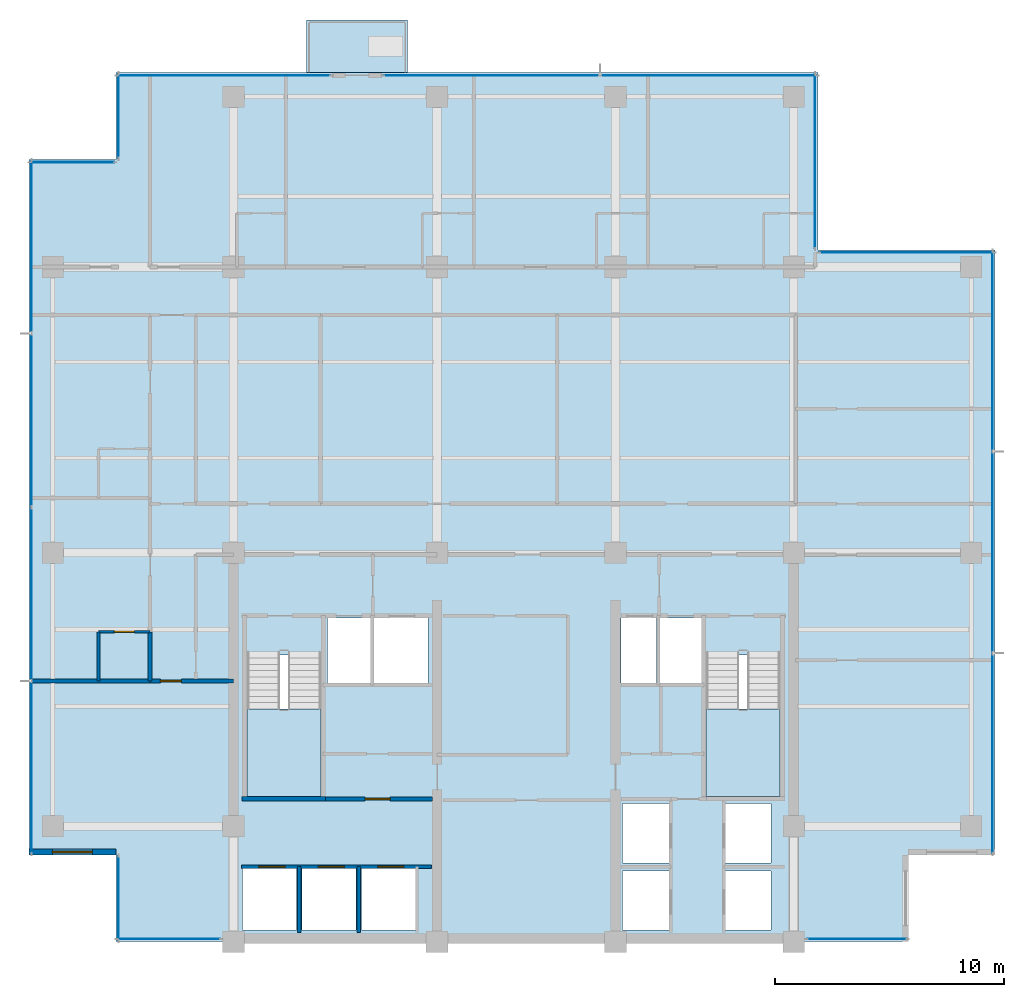
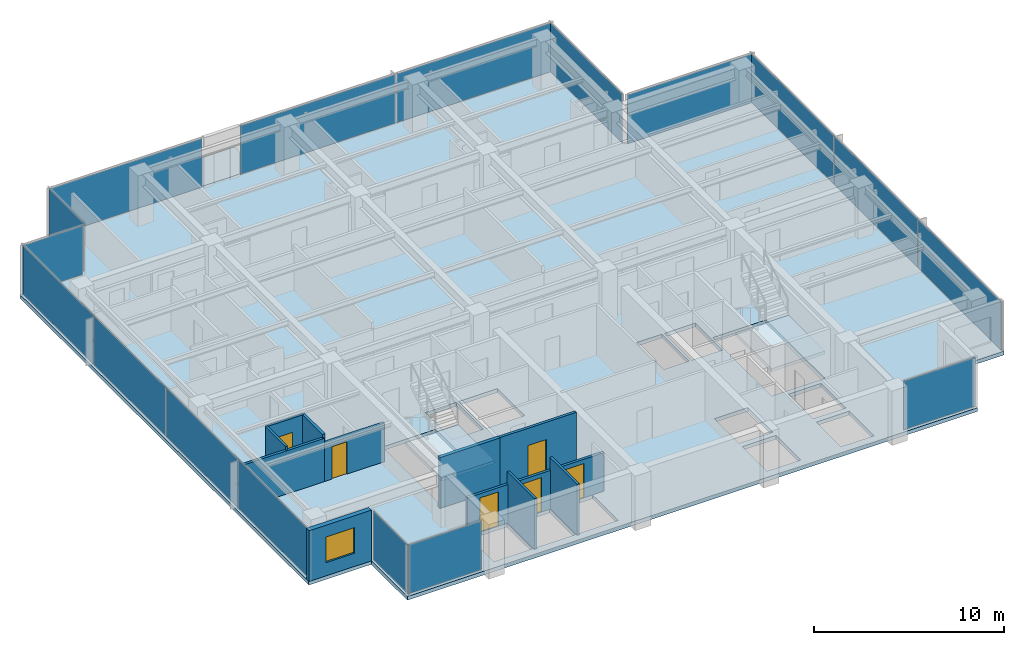
# One storey, part 6 of 14: 17 plates, 11 walls, 6 doors, 4 slabs, 1 window, 7 openings, 13 elements without a shape of their own.
"""IFC4 building model written with IfcOpenShell, lengths in metres."""

import ifcopenshell
import ifcopenshell.guid

model = None  # the IFC model being written
_history = None  # IfcOwnerHistory: only IFC2X3 demands one
_inside = {}  # id of a spatial element -> (the spatial element, [elements in it])
_under = {}  # id of a project, library or spatial element -> (it, [spatial elements below it])
_declared = {}  # id of a project -> (the project, [libraries it declares])
_typed = {}  # id of a type object -> (the type object, [elements of that type])
_made_of = {}  # id of a material, layer set ... -> (it, [elements and type objects made of it])


def new_model(schema):
    """Start an empty IFC model of exactly this schema.

    Asked for "IFC4X3", IfcOpenShell would pick the latest addendum, in which some entities
    have other attributes; the version numbers below select the first issue.
    IFC2X3 requires an IfcOwnerHistory on every rooted entity: one is made here for all.
    """
    global model, _history
    if schema == "IFC4X3":
        model = ifcopenshell.file(schema_version=(4, 3, 0, 0))
    else:
        model = ifcopenshell.file(schema=schema)
    _inside.clear()
    _under.clear()
    _declared.clear()
    _typed.clear()
    _made_of.clear()
    _history = None
    if model.schema == "IFC2X3":
        org = make("IfcOrganization", Name="unknown")
        user = make(
            "IfcPersonAndOrganization",
            ThePerson=make("IfcPerson", FamilyName="unknown"),
            TheOrganization=org,
        )
        app = make(
            "IfcApplication",
            ApplicationDeveloper=org,
            Version="unknown",
            ApplicationFullName="unknown",
            ApplicationIdentifier="unknown",
        )
        _history = make(
            "IfcOwnerHistory",
            OwningUser=user,
            OwningApplication=app,
            ChangeAction="ADDED",
            CreationDate=0,
        )
    return model


def make(cls, **values):
    """One entity of the class cls with the attributes given. An attribute that is None is left unset."""
    return model.create_entity(
        cls, **{name: value for name, value in values.items() if value is not None}
    )


def rooted(cls, **values):
    """An entity with a GlobalId (a new one), such as an element, a storey or a relation."""
    return make(cls, GlobalId=ifcopenshell.guid.new(), OwnerHistory=_history, **values)


def si_unit(unit_type, name, prefix=None):
    """IfcSIUnit, for example si_unit("LENGTHUNIT", "METRE", prefix="MILLI")."""
    return make("IfcSIUnit", UnitType=unit_type, Prefix=prefix, Name=name)


def assignment(units):
    """IfcUnitAssignment: the units of a project."""
    return None if units is None else make("IfcUnitAssignment", Units=units)


def point(xyz):
    """IfcCartesianPoint."""
    return None if xyz is None else make("IfcCartesianPoint", Coordinates=xyz)


def direction(xyz):
    """IfcDirection."""
    return None if xyz is None else make("IfcDirection", DirectionRatios=xyz)


def frame(location, z_axis=None, x_axis=None):
    """IfcAxis2Placement3D, a coordinate frame: its origin and axes. An axis left out is left unset."""
    return make(
        "IfcAxis2Placement3D",
        Location=point(location),
        Axis=direction(z_axis),
        RefDirection=direction(x_axis),
    )


def frame_2d(location, x_axis=None):
    """IfcAxis2Placement2D, a coordinate frame in the plane: its origin and x axis."""
    return make(
        "IfcAxis2Placement2D", Location=point(location), RefDirection=direction(x_axis)
    )


def origin():
    """The frame at (0, 0, 0) with its axes left unset."""
    return frame((0.0, 0.0, 0.0))


def origin_2d():
    """The frame at (0, 0) in the plane with its x axis left unset."""
    return frame_2d((0.0, 0.0))


def place(relative_to, where):
    """IfcLocalPlacement: puts the frame where relative to a parent placement (None: the world)."""
    return make(
        "IfcLocalPlacement", PlacementRelTo=relative_to, RelativePlacement=where
    )


def context(
    kind, dimensions, precision=None, world=None, true_north=None, identifier=None
):
    """IfcGeometricRepresentationContext, for example the 3D "Model" context."""
    return make(
        "IfcGeometricRepresentationContext",
        ContextIdentifier=identifier,
        ContextType=kind,
        CoordinateSpaceDimension=dimensions,
        Precision=precision,
        WorldCoordinateSystem=world,
        TrueNorth=true_north,
    )


def subcontext(parent, identifier, kind, view, scale=None):
    """IfcGeometricRepresentationSubContext, for example "Body" below "Model"."""
    return make(
        "IfcGeometricRepresentationSubContext",
        ContextIdentifier=identifier,
        ContextType=kind,
        ParentContext=parent,
        TargetScale=scale,
        TargetView=view,
    )


def project(units=None, contexts=None):
    """IfcProject with its units and contexts."""
    return rooted(
        "IfcProject",
        Name="project",
        RepresentationContexts=contexts,
        UnitsInContext=assignment(units),
    )


def spatial(cls, under=None, at=None, **own):
    """A site, building, storey or space (cls), placed at a placement, below another one or the project."""
    s = rooted(cls, ObjectPlacement=at, **own)
    if under is not None:
        _under.setdefault(under.id(), (under, []))[1].append(s)
    return s


def polyline(points):
    """IfcPolyline through the points."""
    return make("IfcPolyline", Points=[point(p) for p in points])


def profile(cls, at=None, kind="AREA", **sizes):
    """A parametric profile (cls). Its sizes go by their IFC names, for example OverallWidth=200.0."""
    return make(cls, ProfileType=kind, Position=at, **sizes)


def rectangle(**sizes):
    """IfcRectangleProfileDef."""
    return profile("IfcRectangleProfileDef", **sizes)


def outline(outer, holes=None, kind="AREA"):
    """IfcArbitraryClosedProfileDef: a profile drawn as a closed curve; with holes, ...WithVoids."""
    if holes is None:
        return make("IfcArbitraryClosedProfileDef", ProfileType=kind, OuterCurve=outer)
    return make(
        "IfcArbitraryProfileDefWithVoids",
        ProfileType=kind,
        OuterCurve=outer,
        InnerCurves=holes,
    )


def extrude(swept, where, along, depth):
    """IfcExtrudedAreaSolid: the profile swept, set in the frame where, extruded along a direction by depth."""
    return make(
        "IfcExtrudedAreaSolid",
        SweptArea=swept,
        Position=where,
        ExtrudedDirection=direction(along),
        Depth=depth,
    )


def shape(context_of_items, identifier, shape_type, items):
    """IfcShapeRepresentation: the items that make up one representation, for example the "Body"."""
    return make(
        "IfcShapeRepresentation",
        ContextOfItems=context_of_items,
        RepresentationIdentifier=identifier,
        RepresentationType=shape_type,
        Items=items,
    )


def material(Name=None, Category=None):
    """IfcMaterial."""
    return make("IfcMaterial", Name=Name, Category=Category)


def layer(
    of_material, thickness, ventilated=None, Name=None, Category=None, Priority=None
):
    """IfcMaterialLayer: one layer of a wall or slab, of a material (None: an air gap)."""
    return make(
        "IfcMaterialLayer",
        Material=of_material,
        LayerThickness=thickness,
        IsVentilated=ventilated,
        Name=Name,
        Category=Category,
        Priority=Priority,
    )


def layer_set(layers, Name=None):
    """IfcMaterialLayerSet."""
    return make("IfcMaterialLayerSet", MaterialLayers=layers, LayerSetName=Name)


def made_of(thing, what):
    """Note that an element or type object is made of a material, layer set ...; save() writes the relation."""
    if what is not None:
        _made_of.setdefault(what.id(), (what, []))[1].append(thing)
    return thing


def type_object(cls, material=None, **own):
    """A type object (cls), such as IfcWallType, which elements share."""
    return made_of(rooted(cls, **own), material)


def element(
    cls,
    number,
    at=None,
    inside=None,
    cuts=None,
    type_object=None,
    material=None,
    context=None,
    identifier="Body",
    shape_type=None,
    held_by="IfcProductDefinitionShape",
    body=None,
    shapes=None,
    **own,
):
    """One element of the class cls, such as IfcWall. Its Tag is "e" and its number.

    at: its placement. inside: the storey or other place that contains it. cuts: it is an
    opening in that element (IfcRelVoidsElement). A single representation is given by context,
    identifier, shape_type and body (its items); several are given by shapes. held_by: the class
    of the entity that holds the representations. save() writes the other relations.
    """
    e = rooted(cls, Tag="e%d" % number, ObjectPlacement=at, **own)
    if body is not None:
        shapes = [shape(context, identifier, shape_type, body)]
    if shapes is not None:
        e.Representation = make(held_by, Representations=shapes)
    if inside is not None:
        _inside.setdefault(inside.id(), (inside, []))[1].append(e)
    if cuts is not None:
        rooted(
            "IfcRelVoidsElement", RelatingBuildingElement=cuts, RelatedOpeningElement=e
        )
    if type_object is not None:
        _typed.setdefault(type_object.id(), (type_object, []))[1].append(e)
    return made_of(e, material)


def fill(opening, filler):
    """IfcRelFillsElement: the door or window that sits in an opening."""
    return rooted(
        "IfcRelFillsElement",
        RelatingOpeningElement=opening,
        RelatedBuildingElement=filler,
    )


def aggregate(whole, parts):
    """IfcRelAggregates: a whole, such as a stair, and the parts it consists of."""
    return rooted("IfcRelAggregates", RelatingObject=whole, RelatedObjects=parts)


def save(model, path):
    """Write the relations noted so far, then the file.

    IfcRelAggregates (storeys below a building ...), IfcRelContainedInSpatialStructure (elements
    in a storey), IfcRelDefinesByType, IfcRelAssociatesMaterial and IfcRelDeclares: one each for
    every whole, place, type object, material and project.
    """
    for whole, parts in _under.values():
        aggregate(whole, parts)
    for where, things in _inside.values():
        rooted(
            "IfcRelContainedInSpatialStructure",
            RelatedElements=things,
            RelatingStructure=where,
        )
    for kind, things in _typed.values():
        rooted("IfcRelDefinesByType", RelatedObjects=things, RelatingType=kind)
    for what, things in _made_of.values():
        rooted("IfcRelAssociatesMaterial", RelatedObjects=things, RelatingMaterial=what)
    for by, libraries in _declared.values():
        rooted("IfcRelDeclares", RelatingContext=by, RelatedDefinitions=libraries)
    model.write(path)


model = new_model("IFC4")

# Units and contexts
model_context = context("Model", 3, precision=1e-05, world=origin(), true_north=direction((0.0, 1.0)))
body_context = subcontext(model_context, "Body", "Model", "MODEL_VIEW")
ifc_project = project(units=[si_unit("LENGTHUNIT", "METRE"), si_unit("AREAUNIT", "SQUARE_METRE"), si_unit("VOLUMEUNIT", "CUBIC_METRE"), si_unit("PLANEANGLEUNIT", "RADIAN"), si_unit("MASSUNIT", "GRAM", prefix="KILO")], contexts=[model_context])

# Site, building, storey
site_placement = place(None, origin())
site = spatial("IfcSite", under=ifc_project, at=site_placement, CompositionType="ELEMENT")
building_placement = place(site_placement, origin())
building = spatial("IfcBuilding", under=site, at=building_placement, Name="Qalmaran Belvedere Hotel", CompositionType="ELEMENT")
storey_placement = place(building_placement, frame((0.0, 0.0, 207.39990234375)))
storey = spatial("IfcBuildingStorey", under=building, at=storey_placement, Name="L52", CompositionType="ELEMENT", Elevation=207.39990234375)

# Curtain wall, plate
ifc_material_1 = material(Name="Anodised Bronze Aluminium", Category="aluminium")
ifc_layer_1 = layer(ifc_material_1, 0.18994140625, Name="Anodised Bronze Aluminium")
ifc_layer_set_1 = layer_set([ifc_layer_1], Name="Anodised Bronze Aluminium")
curtain_wall_type = type_object("IfcCurtainWallType", Name="CW5-TOWER-UPPER", PredefinedType="NOTDEFINED", material=ifc_layer_set_1)
curtain_wall_1_placement = place(storey_placement, origin())
curtain_wall_1 = element("IfcCurtainWall", 1, at=curtain_wall_1_placement, inside=storey, type_object=curtain_wall_type, Name="L52 Curtain Wall CW5", PredefinedType="NOTDEFINED")
ifc_material_2 = material(Name="Solar-Control Double Glazing", Category="glass")
ifc_layer_2 = layer(ifc_material_2, 0.028076171875, Name="Solar-Control Double Glazing")
ifc_layer_set_2 = layer_set([ifc_layer_2], Name="Solar-Control Double Glazing")
plate_type = type_object("IfcPlateType", Name="CWP-VISION-28", PredefinedType="CURTAIN_PANEL", material=ifc_layer_set_2)
plate_1_placement = place(storey_placement, frame((17.467529296875, 3.6201171875, 0.065185546875), z_axis=(0.0, 0.0, 1.0), x_axis=(1.0, 0.0, 0.0)))
plate_1 = element("IfcPlate", 2, at=plate_1_placement, type_object=plate_type, Name="CW5 panel 1.1", PredefinedType="CURTAIN_PANEL", context=body_context, shape_type="SweptSolid", body=[
    extrude(rectangle(XDim=4.5048828125, YDim=0.028076171875, at=origin_2d()), origin(), (0.0, 0.0, 1.0), 3.1298828125),
])
aggregate(curtain_wall_1, [plate_1])

curtain_wall_2_placement = place(storey_placement, origin())
curtain_wall_2 = element("IfcCurtainWall", 3, at=curtain_wall_2_placement, inside=storey, type_object=curtain_wall_type, Name="L52 Curtain Wall CW5", PredefinedType="NOTDEFINED")
plate_2_placement = place(storey_placement, frame((47.5576171875, 3.6201171875, 0.065185546875), z_axis=(0.0, 0.0, 1.0), x_axis=(1.0, 0.0, 0.0)))
plate_2 = element("IfcPlate", 4, at=plate_2_placement, type_object=plate_type, Name="CW5 panel 1.1", PredefinedType="CURTAIN_PANEL", context=body_context, shape_type="SweptSolid", body=[
    extrude(rectangle(XDim=4.35498046875, YDim=0.028076171875, at=origin_2d()), origin(), (0.0, 0.0, 1.0), 3.1298828125),
])
aggregate(curtain_wall_2, [plate_2])

# Curtain wall, plates
curtain_wall_3_placement = place(storey_placement, origin())
curtain_wall_3 = element("IfcCurtainWall", 5, at=curtain_wall_3_placement, inside=storey, type_object=curtain_wall_type, Name="L52 Curtain Wall CW5", PredefinedType="NOTDEFINED")
plate_3_placement = place(storey_placement, frame((53.47998046875, 11.724609375, 0.065185546875), z_axis=(0.0, 0.0, 1.0), x_axis=(0.0, 1.0, 0.0)))
plate_3 = element("IfcPlate", 6, at=plate_3_placement, type_object=plate_type, Name="CW5 panel 1.1", PredefinedType="CURTAIN_PANEL", context=body_context, shape_type="SweptSolid", body=[
    extrude(rectangle(XDim=8.71923828125, YDim=0.028076171875, at=origin_2d()), origin(), (0.0, 0.0, 1.0), 3.1298828125),
])
plate_4_placement = place(storey_placement, frame((53.47998046875, 20.52490234375, 0.065185546875), z_axis=(0.0, 0.0, 1.0), x_axis=(0.0, 1.0, 0.0)))
plate_4 = element("IfcPlate", 7, at=plate_4_placement, type_object=plate_type, Name="CW5 panel 2.1", PredefinedType="CURTAIN_PANEL", context=body_context, shape_type="SweptSolid", body=[
    extrude(rectangle(XDim=8.751708984375, YDim=0.028076171875, at=origin_2d()), origin(), (0.0, 0.0, 1.0), 3.1298828125),
])
plate_5_placement = place(storey_placement, frame((53.47998046875, 29.325439453125, 0.065185546875), z_axis=(0.0, 0.0, 1.0), x_axis=(0.0, 1.0, 0.0)))
plate_5 = element("IfcPlate", 8, at=plate_5_placement, type_object=plate_type, Name="CW5 panel 3.1", PredefinedType="CURTAIN_PANEL", context=body_context, shape_type="SweptSolid", body=[
    extrude(rectangle(XDim=8.71923828125, YDim=0.028076171875, at=origin_2d()), origin(), (0.0, 0.0, 1.0), 3.1298828125),
])
aggregate(curtain_wall_3, [plate_3, plate_4, plate_5])

# Curtain wall, plate
curtain_wall_4_placement = place(storey_placement, origin())
curtain_wall_4 = element("IfcCurtainWall", 9, at=curtain_wall_4_placement, inside=storey, type_object=curtain_wall_type, Name="L52 Curtain Wall CW5", PredefinedType="NOTDEFINED")
plate_6_placement = place(storey_placement, frame((49.72509765625, 33.6298828125, 0.065185546875), z_axis=(0.0, 0.0, 1.0), x_axis=(-1.0, 0.0, 0.0)))
plate_6 = element("IfcPlate", 10, at=plate_6_placement, type_object=plate_type, Name="CW5 panel 1.1", PredefinedType="CURTAIN_PANEL", context=body_context, shape_type="SweptSolid", body=[
    extrude(rectangle(XDim=7.6201171875, YDim=0.028076171875, at=origin_2d()), origin(), (0.0, 0.0, 1.0), 3.1298828125),
])
aggregate(curtain_wall_4, [plate_6])

curtain_wall_5_placement = place(storey_placement, origin())
curtain_wall_5 = element("IfcCurtainWall", 11, at=curtain_wall_5_placement, inside=storey, type_object=curtain_wall_type, Name="L52 Curtain Wall CW5", PredefinedType="NOTDEFINED")
plate_7_placement = place(storey_placement, frame((45.72998046875, 37.625, 0.065185546875), z_axis=(0.0, 0.0, 1.0), x_axis=(0.0, 1.0, 0.0)))
plate_7 = element("IfcPlate", 12, at=plate_7_placement, type_object=plate_type, Name="CW5 panel 1.1", PredefinedType="CURTAIN_PANEL", context=body_context, shape_type="SweptSolid", body=[
    extrude(rectangle(XDim=7.6201171875, YDim=0.028076171875, at=origin_2d()), origin(), (0.0, 0.0, 1.0), 3.1298828125),
])
aggregate(curtain_wall_5, [plate_7])

curtain_wall_6_placement = place(storey_placement, origin())
curtain_wall_6 = element("IfcCurtainWall", 13, at=curtain_wall_6_placement, inside=storey, type_object=curtain_wall_type, Name="L52 Curtain Wall CW5", PredefinedType="NOTDEFINED")
plate_8_placement = place(storey_placement, frame((19.875, 41.3798828125, 0.065185546875), z_axis=(0.0, 0.0, 1.0), x_axis=(-1.0, 0.0, 0.0)))
plate_8 = element("IfcPlate", 14, at=plate_8_placement, type_object=plate_type, Name="CW5 panel 1.1", PredefinedType="CURTAIN_PANEL", context=body_context, shape_type="SweptSolid", body=[
    extrude(rectangle(XDim=9.320068359375, YDim=0.028076171875, at=origin_2d()), origin(), (0.0, 0.0, 1.0), 3.1298828125),
])
aggregate(curtain_wall_6, [plate_8])

# Curtain wall, plates
curtain_wall_7_placement = place(storey_placement, origin())
curtain_wall_7 = element("IfcCurtainWall", 15, at=curtain_wall_7_placement, inside=storey, type_object=curtain_wall_type, Name="L52 Curtain Wall CW5", PredefinedType="NOTDEFINED")
plate_9_placement = place(storey_placement, frame((41.0712890625, 41.3798828125, 0.065185546875), z_axis=(0.0, 0.0, 1.0), x_axis=(-1.0, 0.0, 0.0)))
plate_9 = element("IfcPlate", 16, at=plate_9_placement, type_object=plate_type, Name="CW5 panel 1.1", PredefinedType="CURTAIN_PANEL", context=body_context, shape_type="SweptSolid", body=[
    extrude(rectangle(XDim=9.427490234375, YDim=0.028076171875, at=origin_2d()), origin(), (0.0, 0.0, 1.0), 3.1298828125),
])
plate_10_placement = place(storey_placement, frame((31.578857421875, 41.3798828125, 0.065185546875), z_axis=(0.0, 0.0, 1.0), x_axis=(-1.0, 0.0, 0.0)))
plate_10 = element("IfcPlate", 17, at=plate_10_placement, type_object=plate_type, Name="CW5 panel 2.1", PredefinedType="CURTAIN_PANEL", context=body_context, shape_type="SweptSolid", body=[
    extrude(rectangle(XDim=9.427490234375, YDim=0.028076171875, at=origin_2d()), origin(), (0.0, 0.0, 1.0), 3.1298828125),
])
aggregate(curtain_wall_7, [plate_9, plate_10])

# Curtain wall, plate
curtain_wall_8_placement = place(storey_placement, origin())
curtain_wall_8 = element("IfcCurtainWall", 18, at=curtain_wall_8_placement, inside=storey, type_object=curtain_wall_type, Name="L52 Curtain Wall CW5", PredefinedType="NOTDEFINED")
plate_11_placement = place(storey_placement, frame((15.27001953125, 39.60009765625, 0.065185546875), z_axis=(0.0, 0.0, 1.0), x_axis=(0.0, -1.0, 0.0)))
plate_11 = element("IfcPlate", 19, at=plate_11_placement, type_object=plate_type, Name="CW5 panel 1.1", PredefinedType="CURTAIN_PANEL", context=body_context, shape_type="SweptSolid", body=[
    extrude(rectangle(XDim=3.669921875, YDim=0.028076171875, at=origin_2d()), origin(), (0.0, 0.0, 1.0), 3.1298828125),
])
aggregate(curtain_wall_8, [plate_11])

curtain_wall_9_placement = place(storey_placement, origin())
curtain_wall_9 = element("IfcCurtainWall", 20, at=curtain_wall_9_placement, inside=storey, type_object=curtain_wall_type, Name="L52 Curtain Wall CW5", PredefinedType="NOTDEFINED")
plate_12_placement = place(storey_placement, frame((13.25, 37.580078125, 0.065185546875), z_axis=(0.0, 0.0, 1.0), x_axis=(-1.0, 0.0, 0.0)))
plate_12 = element("IfcPlate", 21, at=plate_12_placement, type_object=plate_type, Name="CW5 panel 1.1", PredefinedType="CURTAIN_PANEL", context=body_context, shape_type="SweptSolid", body=[
    extrude(rectangle(XDim=3.669921875, YDim=0.028076171875, at=origin_2d()), origin(), (0.0, 0.0, 1.0), 3.1298828125),
])
aggregate(curtain_wall_9, [plate_12])

# Curtain wall, plates
curtain_wall_10_placement = place(storey_placement, origin())
curtain_wall_10 = element("IfcCurtainWall", 22, at=curtain_wall_10_placement, inside=storey, type_object=curtain_wall_type, Name="L52 Curtain Wall CW5", PredefinedType="NOTDEFINED")
plate_13_placement = place(storey_placement, frame((11.469970703125, 33.8837890625, 0.065185546875), z_axis=(0.0, 0.0, 1.0), x_axis=(0.0, -1.0, 0.0)))
plate_13 = element("IfcPlate", 23, at=plate_13_placement, type_object=plate_type, Name="CW5 panel 1.1", PredefinedType="CURTAIN_PANEL", context=body_context, shape_type="SweptSolid", body=[
    extrude(rectangle(XDim=7.50244140625, YDim=0.028076171875, at=origin_2d()), origin(), (0.0, 0.0, 1.0), 3.1298828125),
])
plate_14_placement = place(storey_placement, frame((11.469970703125, 26.300048828125, 0.065185546875), z_axis=(0.0, 0.0, 1.0), x_axis=(0.0, -1.0, 0.0)))
plate_14 = element("IfcPlate", 24, at=plate_14_placement, type_object=plate_type, Name="CW5 panel 2.1", PredefinedType="CURTAIN_PANEL", context=body_context, shape_type="SweptSolid", body=[
    extrude(rectangle(XDim=7.534912109375, YDim=0.028076171875, at=origin_2d()), origin(), (0.0, 0.0, 1.0), 3.1298828125),
])
plate_15_placement = place(storey_placement, frame((11.469970703125, 18.699951171875, 0.065185546875), z_axis=(0.0, 0.0, 1.0), x_axis=(0.0, -1.0, 0.0)))
plate_15 = element("IfcPlate", 25, at=plate_15_placement, type_object=plate_type, Name="CW5 panel 3.1", PredefinedType="CURTAIN_PANEL", context=body_context, shape_type="SweptSolid", body=[
    extrude(rectangle(XDim=7.534912109375, YDim=0.028076171875, at=origin_2d()), origin(), (0.0, 0.0, 1.0), 3.1298828125),
])
plate_16_placement = place(storey_placement, frame((11.469970703125, 11.1162109375, 0.065185546875), z_axis=(0.0, 0.0, 1.0), x_axis=(0.0, -1.0, 0.0)))
plate_16 = element("IfcPlate", 26, at=plate_16_placement, type_object=plate_type, Name="CW5 panel 4.1", PredefinedType="CURTAIN_PANEL", context=body_context, shape_type="SweptSolid", body=[
    extrude(rectangle(XDim=7.50244140625, YDim=0.028076171875, at=origin_2d()), origin(), (0.0, 0.0, 1.0), 3.1298828125),
])
aggregate(curtain_wall_10, [plate_13, plate_14, plate_15, plate_16])

# Curtain wall, plate
curtain_wall_11_placement = place(storey_placement, origin())
curtain_wall_11 = element("IfcCurtainWall", 27, at=curtain_wall_11_placement, inside=storey, type_object=curtain_wall_type, Name="L52 Curtain Wall CW5", PredefinedType="NOTDEFINED")
plate_17_placement = place(storey_placement, frame((15.27001953125, 5.39990234375, 0.065185546875), z_axis=(0.0, 0.0, 1.0), x_axis=(0.0, -1.0, 0.0)))
plate_17 = element("IfcPlate", 28, at=plate_17_placement, type_object=plate_type, Name="CW5 panel 1.1", PredefinedType="CURTAIN_PANEL", context=body_context, shape_type="SweptSolid", body=[
    extrude(rectangle(XDim=3.669921875, YDim=0.028076171875, at=origin_2d()), origin(), (0.0, 0.0, 1.0), 3.1298828125),
])
aggregate(curtain_wall_11, [plate_17])

# Slab
ifc_material_3 = material(Name="Concrete C40/50", Category="concrete")
ifc_layer_3 = layer(ifc_material_3, 0.219970703125, Name="Concrete C40/50")
ifc_layer_set_3 = layer_set([ifc_layer_3], Name="Concrete C40/50")
slab_type_1 = type_object("IfcSlabType", Name="SLB-BAL-220", PredefinedType="USERDEFINED", material=ifc_layer_set_3)
slab_1_placement = place(storey_placement, frame((0.0, 0.0, -0.219970703125)))
element("IfcSlab", 29, at=slab_1_placement, inside=storey, type_object=slab_type_1, Name="L52 Planted Tree Balcony Slab 1", ObjectType="BALCONY", PredefinedType="USERDEFINED", context=body_context, shape_type="SweptSolid", body=[
    extrude(outline(polyline([(23.5, 41.5), (27.89990234375, 41.5), (27.89990234375, 43.800048828125), (23.5, 43.800048828125), (23.5, 41.5)])), origin(), (0.0, 0.0, 1.0), 0.219970703125),
])

# Stair, slab
stair_type_1 = type_object("IfcStairType", Name="STR-ST-1-1450-R1750", PredefinedType="HALF_TURN_STAIR", material=ifc_material_3)
stair_1_placement = place(storey_placement, origin())
stair_1 = element("IfcStair", 30, at=stair_1_placement, inside=storey, type_object=stair_type_1, Name="L52 West Core Exit Stair ST-1", PredefinedType="HALF_TURN_STAIR")
ifc_layer_4 = layer(ifc_material_3, 0.199951171875, Name="Concrete C40/50")
ifc_layer_set_4 = layer_set([ifc_layer_4], Name="Concrete C40/50")
slab_type_2 = type_object("IfcSlabType", Name="SLB-STAIR-LANDING-200", PredefinedType="LANDING", material=ifc_layer_set_4)
slab_2_placement = place(storey_placement, frame((0.0, 0.0, 1.550048828125)))
slab_2 = element("IfcSlab", 31, at=slab_2_placement, type_object=slab_type_2, Name="ST-1 landing 1", PredefinedType="LANDING", context=body_context, shape_type="SweptSolid", body=[
    extrude(outline(polyline([(20.8798828125, 13.669921875), (20.8798828125, 9.85009765625), (24.1201171875, 9.85009765625), (24.1201171875, 13.669921875), (20.8798828125, 13.669921875)])), origin(), (0.0, 0.0, 1.0), 0.199951171875),
])
aggregate(stair_1, [slab_2])

stair_type_2 = type_object("IfcStairType", Name="STR-ST-2-1450-R1750", PredefinedType="HALF_TURN_STAIR", material=ifc_material_3)
stair_2_placement = place(storey_placement, origin())
stair_2 = element("IfcStair", 32, at=stair_2_placement, inside=storey, type_object=stair_type_2, Name="L52 East Core Exit Stair ST-2", PredefinedType="HALF_TURN_STAIR")
slab_3_placement = place(storey_placement, frame((0.0, 0.0, 1.550048828125)))
slab_3 = element("IfcSlab", 33, at=slab_3_placement, type_object=slab_type_2, Name="ST-2 landing 1", PredefinedType="LANDING", context=body_context, shape_type="SweptSolid", body=[
    extrude(outline(polyline([(40.9599609375, 13.669921875), (40.9599609375, 9.85009765625), (44.199951171875, 9.85009765625), (44.199951171875, 13.669921875), (40.9599609375, 13.669921875)])), origin(), (0.0, 0.0, 1.0), 0.199951171875),
])
aggregate(stair_2, [slab_3])

# Slab
ifc_layer_5 = layer(ifc_material_3, 0.239990234375, Name="Concrete C40/50")
ifc_layer_set_5 = layer_set([ifc_layer_5], Name="Concrete C40/50")
slab_type_3 = type_object("IfcSlabType", Name="SLB-Z4-240", PredefinedType="FLOOR", material=ifc_layer_set_5)
slab_4_placement = place(storey_placement, frame((0.0, 0.0, -0.239990234375)))
element("IfcSlab", 34, at=slab_4_placement, inside=storey, type_object=slab_type_3, Name="L52 Structural Floor Slab", PredefinedType="FLOOR", context=body_context, shape_type="SweptSolid", body=[
    extrude(outline(polyline([(15.14990234375, 3.5), (49.800048828125, 3.5), (49.800048828125, 7.300048828125), (53.60009765625, 7.300048828125), (53.60009765625, 33.75), (45.85009765625, 33.75), (45.85009765625, 41.5), (15.14990234375, 41.5), (15.14990234375, 37.699951171875), (11.35009765625, 37.699951171875), (11.35009765625, 7.300048828125), (15.14990234375, 7.300048828125), (15.14990234375, 3.5)]), holes=[polyline([(20.8798828125, 9.85009765625), (24.1201171875, 9.85009765625), (24.1201171875, 16.0400390625), (20.8798828125, 16.0400390625), (20.8798828125, 9.85009765625)]), polyline([(40.9599609375, 9.85009765625), (44.199951171875, 9.85009765625), (44.199951171875, 16.0400390625), (40.9599609375, 16.0400390625), (40.9599609375, 9.85009765625)]), polyline([(37.300048828125, 4.0), (39.35009765625, 4.0), (39.35009765625, 6.60009765625), (37.300048828125, 6.60009765625), (37.300048828125, 4.0)]), polyline([(37.300048828125, 6.949951171875), (39.35009765625, 6.949951171875), (39.35009765625, 9.550048828125), (37.300048828125, 9.550048828125), (37.300048828125, 6.949951171875)]), polyline([(41.800048828125, 4.0), (43.800048828125, 4.0), (43.800048828125, 6.60009765625), (41.800048828125, 6.60009765625), (41.800048828125, 4.0)]), polyline([(41.800048828125, 6.949951171875), (43.800048828125, 6.949951171875), (43.800048828125, 9.550048828125), (41.800048828125, 9.550048828125), (41.800048828125, 6.949951171875)]), polyline([(20.699951171875, 4.0), (23.050048828125, 4.0), (23.050048828125, 6.699951171875), (20.699951171875, 6.699951171875), (20.699951171875, 4.0)]), polyline([(23.300048828125, 4.0), (25.64990234375, 4.0), (25.64990234375, 6.699951171875), (23.300048828125, 6.699951171875), (23.300048828125, 4.0)]), polyline([(25.89990234375, 4.0), (28.25, 4.0), (28.25, 6.699951171875), (25.89990234375, 6.699951171875), (25.89990234375, 4.0)]), polyline([(24.39990234375, 14.800048828125), (26.300048828125, 14.800048828125), (26.300048828125, 17.64990234375), (24.39990234375, 17.64990234375), (24.39990234375, 14.800048828125)]), polyline([(38.949951171875, 14.800048828125), (40.820068359375, 14.800048828125), (40.820068359375, 17.64990234375), (38.949951171875, 17.64990234375), (38.949951171875, 14.800048828125)]), polyline([(26.449951171875, 14.800048828125), (28.800048828125, 14.800048828125), (28.800048828125, 17.64990234375), (26.449951171875, 17.64990234375), (26.449951171875, 14.800048828125)]), polyline([(37.25, 14.800048828125), (38.800048828125, 14.800048828125), (38.800048828125, 17.64990234375), (37.25, 17.64990234375), (37.25, 14.800048828125)])]), origin(), (0.0, 0.0, 1.0), 0.239990234375),
])

# Wall, opening, window
ifc_material_4 = material(Name="Anodised Bronze Cladding")
ifc_layer_6 = layer(ifc_material_4, 0.280029296875, Name="Anodised Bronze Cladding")
ifc_layer_set_6 = layer_set([ifc_layer_6], Name="Anodised Bronze Cladding")
wall_type_1 = type_object("IfcWallType", Name="WL-EXT-BRNZ-280", PredefinedType="SOLIDWALL", material=ifc_layer_set_6)
wall_1_placement = place(storey_placement, frame((11.35009765625, 7.419921875, 0.0), z_axis=(0.0, 0.0, 1.0), x_axis=(1.0, 0.0, 0.0)))
wall_1 = element("IfcWall", 35, at=wall_1_placement, inside=storey, type_object=wall_type_1, Name="L52 Corner Notch Wall 10", PredefinedType="SOLIDWALL", context=body_context, shape_type="SweptSolid", body=[
    extrude(rectangle(XDim=3.7998046875, YDim=0.280029296875, at=frame_2d((1.89990234375, 0.0))), origin(), (0.0, 0.0, 1.0), 3.260009765625),
])
opening_1_placement = place(wall_1_placement, frame((1.02490234375, 0.0, 0.85009765625)))
opening_1 = element("IfcOpeningElement", 36, at=opening_1_placement, cuts=wall_1, Name="Opening W-N17", PredefinedType="OPENING", context=body_context, shape_type="SweptSolid", body=[
    extrude(rectangle(XDim=1.75, YDim=1.64990234375, at=frame_2d((0.875, 0.824951171875))), frame((0.0, 0.14990234375, 0.0), z_axis=(0.0, -1.0, 0.0), x_axis=(1.0, 0.0, 0.0)), (0.0, 0.0, 1.0), 0.300048828125),
])
window_type = type_object("IfcWindowType", Name="WN-NTC-1750X1650", PartitioningType="SINGLE_PANEL", PredefinedType="WINDOW", material=ifc_material_2)
window_placement = place(opening_1_placement, origin())
window = element("IfcWindow", 37, at=window_placement, inside=storey, type_object=window_type, Name="L52 Corner Notch Window 10", OverallHeight=1.64990234375, OverallWidth=1.75, PartitioningType="SINGLE_PANEL", PredefinedType="WINDOW", context=body_context, shape_type="SweptSolid", body=[
    extrude(rectangle(XDim=1.75, YDim=1.64990234375, at=frame_2d((0.875, 0.824951171875))), frame((0.0, 0.030029296875, 0.0), z_axis=(0.0, -1.0, 0.0), x_axis=(1.0, 0.0, 0.0)), (0.0, 0.0, 1.0), 0.06005859375),
])
fill(opening_1, window)

# Wall, opening, door
ifc_material_5 = material(Name="Moisture-Resistant Gypsum")
ifc_layer_7 = layer(ifc_material_5, 0.1201171875, Name="Moisture-Resistant Gypsum")
ifc_layer_set_7 = layer_set([ifc_layer_7], Name="Moisture-Resistant Gypsum")
wall_type_2 = type_object("IfcWallType", Name="WL-INT-120-BATH", PredefinedType="PARTITIONING", material=ifc_layer_set_7)
wall_2_placement = place(storey_placement, frame((14.39990234375, 17.050048828125, 0.0), z_axis=(0.0, 0.0, 1.0), x_axis=(1.0, 0.0, 0.0)))
wall_2 = element("IfcWall", 38, at=wall_2_placement, inside=storey, type_object=wall_type_2, Name="L52 Partition WL-L52-WBN00", PredefinedType="PARTITIONING", context=body_context, shape_type="SweptSolid", body=[
    extrude(rectangle(XDim=2.25, YDim=0.1201171875, at=frame_2d((1.125, 0.0))), origin(), (0.0, 0.0, 1.0), 2.998046875),
])
opening_2_placement = place(wall_2_placement, frame((1.56494140625, 0.0, 0.0), z_axis=(0.0, 0.0, 1.0), x_axis=(-1.0, 0.0, 0.0)))
opening_2 = element("IfcOpeningElement", 39, at=opening_2_placement, cuts=wall_2, Name="Opening D-BATH", PredefinedType="OPENING", context=body_context, shape_type="SweptSolid", body=[
    extrude(rectangle(XDim=0.8798828125, YDim=2.080078125, at=frame_2d((0.43994140625, 1.0400390625))), frame((0.0, 0.070068359375, 0.0), z_axis=(0.0, -1.0, 0.0), x_axis=(1.0, 0.0, 0.0)), (0.0, 0.0, 1.0), 0.14013671875),
])
ifc_material_6 = material(Name="Engineered Oak Veneer")
door_type_1 = type_object("IfcDoorType", Name="DR-INT-BATH-880X2080", OperationType="NOTDEFINED", PredefinedType="DOOR", material=ifc_material_6)
door_1_placement = place(opening_2_placement, origin())
door_1 = element("IfcDoor", 40, at=door_1_placement, inside=storey, type_object=door_type_1, Name="L52 W Ensuite Door 01", OperationType="SINGLE_SWING_LEFT", OverallHeight=2.080078125, OverallWidth=0.8798828125, PredefinedType="DOOR", context=body_context, shape_type="SweptSolid", body=[
    extrude(rectangle(XDim=0.8798828125, YDim=2.080078125, at=frame_2d((0.43994140625, 1.0400390625))), frame((0.0, 0.02490234375, 0.0), z_axis=(0.0, -1.0, 0.0), x_axis=(1.0, 0.0, 0.0)), (0.0, 0.0, 1.0), 0.050048828125),
])
fill(opening_2, door_1)

# Walls
wall_3_placement = place(storey_placement, frame((14.39990234375, 14.89990234375, 0.0), z_axis=(0.0, 0.0, 1.0), x_axis=(0.0, 1.0, 0.0)))
element("IfcWall", 41, at=wall_3_placement, inside=storey, type_object=wall_type_2, Name="L52 Partition WL-L52-WBS00", PredefinedType="PARTITIONING", context=body_context, shape_type="SweptSolid", body=[
    extrude(rectangle(XDim=2.150146484375, YDim=0.1201171875, at=frame_2d((1.0751953125, 0.0))), origin(), (0.0, 0.0, 1.0), 2.998046875),
])
ifc_material_7 = material(Name="Gypsum Stud Partition")
ifc_layer_8 = layer(ifc_material_7, 0.14990234375, Name="Gypsum Stud Partition")
ifc_layer_set_8 = layer_set([ifc_layer_8], Name="Gypsum Stud Partition")
wall_type_3 = type_object("IfcWallType", Name="WL-INT-150-EI120", PredefinedType="PARTITIONING", material=ifc_layer_set_8)
for number, where, z_axis, x_axis, name in (
    (42, (23.179931640625, 3.89990234375, 0.0), (0.0, 0.0, 1.0), (0.0, 1.0, 0.0), "L52 Partition WL-POM1-L52"),
    (43, (25.780029296875, 3.89990234375, 0.0), (0.0, 0.0, 1.0), (0.0, 1.0, 0.0), "L52 Partition WL-POM2-L52"),
):
    element("IfcWall", number, at=place(storey_placement, frame(where, z_axis=z_axis, x_axis=x_axis)), inside=storey, type_object=wall_type_3, Name=name, PredefinedType="PARTITIONING", context=body_context, shape_type="SweptSolid", body=[
        extrude(rectangle(XDim=2.880126953125, YDim=0.14990234375, at=frame_2d((1.43994140625, 0.0))), origin(), (0.0, 0.0, 1.0), 3.260009765625),
    ])

# Wall, openings, doors
ifc_layer_9 = layer(ifc_material_7, 0.159912109375, Name="Gypsum Stud Partition")
ifc_layer_set_9 = layer_set([ifc_layer_9], Name="Gypsum Stud Partition")
wall_type_4 = type_object("IfcWallType", Name="WL-INT-160-EI120", PredefinedType="PARTITIONING", material=ifc_layer_set_9)
wall_4_placement = place(storey_placement, frame((20.64990234375, 6.780029296875, 0.0), z_axis=(0.0, 0.0, 1.0), x_axis=(1.0, 0.0, 0.0)))
wall_4 = element("IfcWall", 44, at=wall_4_placement, inside=storey, type_object=wall_type_4, Name="L52 Partition WL-POS-L52", PredefinedType="PARTITIONING", context=body_context, shape_type="SweptSolid", body=[
    extrude(rectangle(XDim=8.300048828125, YDim=0.159912109375, at=frame_2d((4.14990234375, 0.0))), origin(), (0.0, 0.0, 1.0), 2.47216796875),
])
opening_3_placement = place(wall_4_placement, frame((0.75, 0.0, 0.0)))
opening_3 = element("IfcOpeningElement", 45, at=opening_3_placement, cuts=wall_4, Name="Opening LD-PO", PredefinedType="OPENING", context=body_context, shape_type="SweptSolid", body=[
    extrude(rectangle(XDim=1.14990234375, YDim=2.199951171875, at=frame_2d((0.574951171875, 1.10009765625))), frame((0.0, 0.08984375, 0.0), z_axis=(0.0, -1.0, 0.0), x_axis=(1.0, 0.0, 0.0)), (0.0, 0.0, 1.0), 0.179931640625),
])
opening_4_placement = place(wall_4_placement, frame((3.35009765625, 0.0, 0.0)))
opening_4 = element("IfcOpeningElement", 46, at=opening_4_placement, cuts=wall_4, Name="Opening LD-PO", PredefinedType="OPENING", context=body_context, shape_type="SweptSolid", body=[
    extrude(rectangle(XDim=1.14990234375, YDim=2.199951171875, at=frame_2d((0.574951171875, 1.10009765625))), frame((0.0, 0.08984375, 0.0), z_axis=(0.0, -1.0, 0.0), x_axis=(1.0, 0.0, 0.0)), (0.0, 0.0, 1.0), 0.179931640625),
])
opening_5_placement = place(wall_4_placement, frame((5.949951171875, 0.0, 0.0)))
opening_5 = element("IfcOpeningElement", 47, at=opening_5_placement, cuts=wall_4, Name="Opening LD-PO", PredefinedType="OPENING", context=body_context, shape_type="SweptSolid", body=[
    extrude(rectangle(XDim=1.14990234375, YDim=2.199951171875, at=frame_2d((0.574951171875, 1.10009765625))), frame((0.0, 0.08984375, 0.0), z_axis=(0.0, -1.0, 0.0), x_axis=(1.0, 0.0, 0.0)), (0.0, 0.0, 1.0), 0.179931640625),
])
door_type_2 = type_object("IfcDoorType", Name="DR-LIFT-PO-1150X2200", OperationType="DOUBLE_DOOR_SLIDING", PredefinedType="DOOR", material=ifc_material_1)
door_2_placement = place(opening_3_placement, origin())
door_2 = element("IfcDoor", 48, at=door_2_placement, inside=storey, type_object=door_type_2, Name="L52 PO1 Shuttle Landing Door", OperationType="DOUBLE_DOOR_SLIDING", OverallHeight=2.199951171875, OverallWidth=1.14990234375, PredefinedType="DOOR", context=body_context, shape_type="SweptSolid", body=[
    extrude(rectangle(XDim=1.14990234375, YDim=2.199951171875, at=frame_2d((0.574951171875, 1.10009765625))), frame((0.0, 0.02490234375, 0.0), z_axis=(0.0, -1.0, 0.0), x_axis=(1.0, 0.0, 0.0)), (0.0, 0.0, 1.0), 0.050048828125),
])
fill(opening_3, door_2)
door_3_placement = place(opening_4_placement, origin())
door_3 = element("IfcDoor", 49, at=door_3_placement, inside=storey, type_object=door_type_2, Name="L52 PO2 Shuttle Landing Door", OperationType="DOUBLE_DOOR_SLIDING", OverallHeight=2.199951171875, OverallWidth=1.14990234375, PredefinedType="DOOR", context=body_context, shape_type="SweptSolid", body=[
    extrude(rectangle(XDim=1.14990234375, YDim=2.199951171875, at=frame_2d((0.574951171875, 1.10009765625))), frame((0.0, 0.02490234375, 0.0), z_axis=(0.0, -1.0, 0.0), x_axis=(1.0, 0.0, 0.0)), (0.0, 0.0, 1.0), 0.050048828125),
])
fill(opening_4, door_3)
door_4_placement = place(opening_5_placement, origin())
door_4 = element("IfcDoor", 50, at=door_4_placement, inside=storey, type_object=door_type_2, Name="L52 PO3 Shuttle Landing Door", OperationType="DOUBLE_DOOR_SLIDING", OverallHeight=2.199951171875, OverallWidth=1.14990234375, PredefinedType="DOOR", context=body_context, shape_type="SweptSolid", body=[
    extrude(rectangle(XDim=1.14990234375, YDim=2.199951171875, at=frame_2d((0.574951171875, 1.10009765625))), frame((0.0, 0.02490234375, 0.0), z_axis=(0.0, -1.0, 0.0), x_axis=(1.0, 0.0, 0.0)), (0.0, 0.0, 1.0), 0.050048828125),
])
fill(opening_5, door_4)

# Wall, opening, door
wall_5_placement = place(storey_placement, frame((24.199951171875, 9.739990234375, 0.0), z_axis=(0.0, 0.0, 1.0), x_axis=(1.0, 0.0, 0.0)))
wall_5 = element("IfcWall", 51, at=wall_5_placement, inside=storey, type_object=wall_type_4, Name="L52 Partition WL-PON-L52", PredefinedType="PARTITIONING", context=body_context, shape_type="SweptSolid", body=[
    extrude(rectangle(XDim=4.800048828125, YDim=0.159912109375, at=frame_2d((2.39990234375, 0.0))), origin(), (0.0, 0.0, 1.0), 3.260009765625),
])
opening_6_placement = place(wall_5_placement, frame((1.85009765625, 0.0, 0.0)))
opening_6 = element("IfcOpeningElement", 52, at=opening_6_placement, cuts=wall_5, Name="Opening FD90", PredefinedType="OPENING", context=body_context, shape_type="SweptSolid", body=[
    extrude(rectangle(XDim=1.10009765625, YDim=2.14990234375, at=frame_2d((0.550048828125, 1.074951171875))), frame((0.0, 0.08984375, 0.0), z_axis=(0.0, -1.0, 0.0), x_axis=(1.0, 0.0, 0.0)), (0.0, 0.0, 1.0), 0.179931640625),
])
ifc_material_8 = material(Name="Steel S355JR", Category="steel")
door_type_3 = type_object("IfcDoorType", Name="DR-FD90-1100X2150", OperationType="NOTDEFINED", PredefinedType="DOOR", material=ifc_material_8)
door_5_placement = place(opening_6_placement, origin())
door_5 = element("IfcDoor", 53, at=door_5_placement, inside=storey, type_object=door_type_3, Name="L52 Shuttle Lobby Passage Door", OperationType="SINGLE_SWING_RIGHT", OverallHeight=2.14990234375, OverallWidth=1.10009765625, PredefinedType="DOOR", context=body_context, shape_type="SweptSolid", body=[
    extrude(rectangle(XDim=1.10009765625, YDim=2.14990234375, at=frame_2d((0.550048828125, 1.074951171875))), frame((0.0, 0.02490234375, 0.0), z_axis=(0.0, -1.0, 0.0), x_axis=(1.0, 0.0, 0.0)), (0.0, 0.0, 1.0), 0.050048828125),
])
fill(opening_6, door_5)

ifc_layer_10 = layer(ifc_material_7, 0.159912109375, Name="Gypsum Stud Partition")
ifc_layer_set_10 = layer_set([ifc_layer_10], Name="Gypsum Stud Partition")
wall_type_5 = type_object("IfcWallType", Name="WL-INT-160-EI60", PredefinedType="PARTITIONING", material=ifc_layer_set_10)
wall_6_placement = place(storey_placement, frame((16.64990234375, 14.89990234375, 0.0), z_axis=(0.0, 0.0, 1.0), x_axis=(1.0, 0.0, 0.0)))
wall_6 = element("IfcWall", 54, at=wall_6_placement, inside=storey, type_object=wall_type_5, Name="L52 Partition WL-L52-SWRL", PredefinedType="PARTITIONING", context=body_context, shape_type="SweptSolid", body=[
    extrude(rectangle(XDim=3.650146484375, YDim=0.159912109375, at=frame_2d((1.8251953125, 0.0))), origin(), (0.0, 0.0, 1.0), 2.47216796875),
])
opening_7_placement = place(wall_6_placement, frame((1.369873046875, 0.0, 0.0), z_axis=(0.0, 0.0, 1.0), x_axis=(-1.0, 0.0, 0.0)))
opening_7 = element("IfcOpeningElement", 55, at=opening_7_placement, cuts=wall_6, Name="Opening FD60S1", PredefinedType="OPENING", context=body_context, shape_type="SweptSolid", body=[
    extrude(rectangle(XDim=0.919921875, YDim=2.080078125, at=frame_2d((0.4599609375, 1.0400390625))), frame((0.0, 0.08984375, 0.0), z_axis=(0.0, -1.0, 0.0), x_axis=(1.0, 0.0, 0.0)), (0.0, 0.0, 1.0), 0.179931640625),
])
door_type_4 = type_object("IfcDoorType", Name="DR-FD60S-920X2080", OperationType="NOTDEFINED", PredefinedType="DOOR", material=ifc_material_6)
door_6_placement = place(opening_7_placement, origin())
door_6 = element("IfcDoor", 56, at=door_6_placement, inside=storey, type_object=door_type_4, Name="L52 SW Study Door", OperationType="SINGLE_SWING_RIGHT", OverallHeight=2.080078125, OverallWidth=0.919921875, PredefinedType="DOOR", context=body_context, shape_type="SweptSolid", body=[
    extrude(rectangle(XDim=0.919921875, YDim=2.080078125, at=frame_2d((0.4599609375, 1.0400390625))), frame((0.0, 0.02490234375, 0.0), z_axis=(0.0, -1.0, 0.0), x_axis=(1.0, 0.0, 0.0)), (0.0, 0.0, 1.0), 0.050048828125),
])
fill(opening_7, door_6)

# Walls
wall_7_placement = place(storey_placement, frame((11.469970703125, 14.89990234375, 0.0), z_axis=(0.0, 0.0, 1.0), x_axis=(1.0, 0.0, 0.0)))
element("IfcWall", 57, at=wall_7_placement, inside=storey, type_object=wall_type_5, Name="L52 Partition WL-L52-WBOT", PredefinedType="PARTITIONING", context=body_context, shape_type="SweptSolid", body=[
    extrude(rectangle(XDim=5.179931640625, YDim=0.159912109375, at=frame_2d((2.58984375, 0.0))), origin(), (0.0, 0.0, 1.0), 2.781982421875),
])
ifc_layer_11 = layer(ifc_material_7, 0.179931640625, Name="Gypsum Stud Partition")
ifc_layer_set_11 = layer_set([ifc_layer_11], Name="Gypsum Stud Partition")
wall_type_6 = type_object("IfcWallType", Name="WL-INT-180-EI60", PredefinedType="PARTITIONING", material=ifc_layer_set_11)
wall_8_placement = place(storey_placement, frame((16.64990234375, 14.89990234375, 0.0), z_axis=(0.0, 0.0, 1.0), x_axis=(0.0, 1.0, 0.0)))
element("IfcWall", 58, at=wall_8_placement, inside=storey, type_object=wall_type_6, Name="L52 Partition WL-L52-WBC00", PredefinedType="PARTITIONING", context=body_context, shape_type="SweptSolid", body=[
    extrude(rectangle(XDim=2.150146484375, YDim=0.179931640625, at=frame_2d((1.0751953125, 0.0))), origin(), (0.0, 0.0, 1.0), 2.998046875),
])
ifc_material_9 = material(Name="Concrete C50/60", Category="concrete")
ifc_layer_12 = layer(ifc_material_9, 0.2099609375, Name="Concrete C50/60")
ifc_layer_set_12 = layer_set([ifc_layer_12], Name="Concrete C50/60")
wall_type_7 = type_object("IfcWallType", Name="WL-STAIR-210-C50", PredefinedType="SHEAR", material=ifc_layer_set_12)
wall_9_placement = place(storey_placement, frame((20.669921875, 9.7451171875, 0.0), z_axis=(0.0, 0.0, 1.0), x_axis=(1.0, 0.0, 0.0)))
element("IfcWall", 59, at=wall_9_placement, inside=storey, type_object=wall_type_7, Name="L52 Stair ST-1 South Bearing Wall", PredefinedType="SHEAR", context=body_context, shape_type="SweptSolid", body=[
    extrude(rectangle(XDim=3.66015625, YDim=0.2099609375, at=frame_2d((1.830078125, 0.0))), origin(), (0.0, 0.0, 1.0), 3.260009765625),
])

save(model, "model.ifc")
